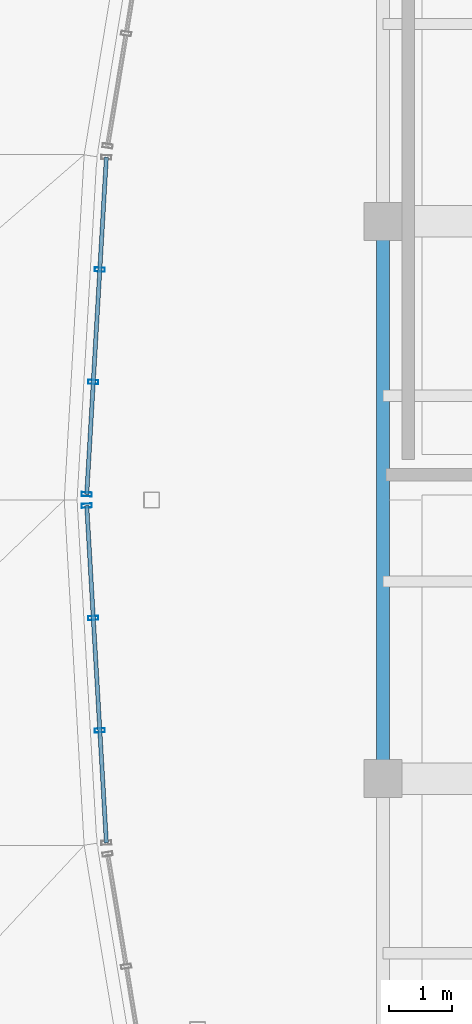
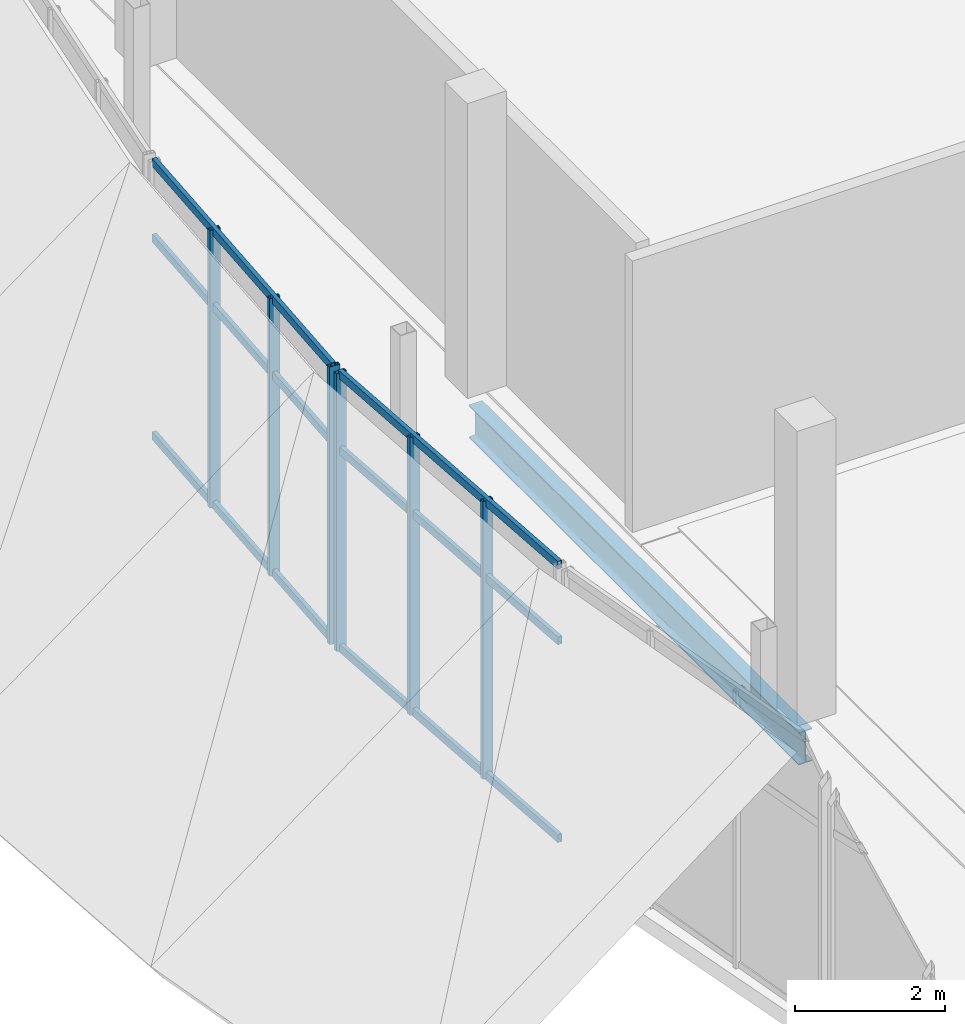
# One storey, part 21 of 116: 12 members, 1 beam, 2 elements without a shape of their own.
"""IFC4 building model written with IfcOpenShell, lengths in metres."""

from ifc_helpers import new_model, si_unit, direction, frame, origin, origin_2d, place, context, subcontext, project, spatial, hollow_rectangle, i_section, extrude, material, layer, layer_set, material_profile, profile_set, type_object, element, aggregate, save


model = new_model("IFC4")

# Units and contexts
model_context = context("Model", 3, precision=1e-05, world=origin(), true_north=direction((0.0, 1.0)))
body_context = subcontext(model_context, "Body", "Model", "MODEL_VIEW")
ifc_project = project(units=[si_unit("LENGTHUNIT", "METRE"), si_unit("AREAUNIT", "SQUARE_METRE"), si_unit("VOLUMEUNIT", "CUBIC_METRE"), si_unit("PLANEANGLEUNIT", "RADIAN"), si_unit("MASSUNIT", "GRAM", prefix="KILO")], contexts=[model_context])

# Site, building, storey
site_placement = place(None, origin())
site = spatial("IfcSite", under=ifc_project, at=site_placement, CompositionType="ELEMENT")
building_placement = place(site_placement, origin())
building = spatial("IfcBuilding", under=site, at=building_placement, Name="Chalmorin Arch Market", CompositionType="ELEMENT")
storey_placement = place(building_placement, origin())
storey = spatial("IfcBuildingStorey", under=building, at=storey_placement, Name="L00", CompositionType="ELEMENT", Elevation=0.0)

# Curtain wall, members
ifc_material_1 = material(Name="Aluminium 6063-T6", Category="aluminium")
ifc_layer = layer(ifc_material_1, 0.159912109375)
ifc_layer_set = layer_set([ifc_layer], Name="Aluminium 6063-T6")
curtain_wall_type = type_object("IfcCurtainWallType", Name="RiverfrontStorefrontCurtainWall-CW2-5330x4520", PredefinedType="NOTDEFINED", material=ifc_layer_set)
curtain_wall_1_placement = place(storey_placement, origin())
curtain_wall_1 = element("IfcCurtainWall", 1, at=curtain_wall_1_placement, inside=storey, type_object=curtain_wall_type, Name="CW-02-054", PredefinedType="NOTDEFINED")
ifc_material_profile_1 = material_profile(ifc_material_1, hollow_rectangle(XDim=0.06494140625, YDim=0.159912109375, WallThickness=0.00390625, at=origin_2d()), Name="ALU65X160X4")
ifc_profile_set_1 = profile_set([ifc_material_profile_1], Name="Aluminium 6063-T6")
member_type_1 = type_object("IfcMemberType", Name="CurtainWallMullion-65x160", PredefinedType="MULLION", material=ifc_profile_set_1)
member_1_placement = place(storey_placement, frame((-4.468505859375, 24.36328125, 0.0), z_axis=(0.0, 0.0, 1.0), x_axis=(-0.052335956243, 0.998629534755, 0.0)))
member_1 = element("IfcMember", 2, at=member_1_placement, type_object=member_type_1, Name="ML-054-02", PredefinedType="MULLION", context=body_context, shape_type="SweptSolid", body=[
    extrude(hollow_rectangle(XDim=0.06494140625, YDim=0.159912109375, WallThickness=0.00390625, at=origin_2d()), origin(), (0.0, 0.0, 1.0), 4.52001953125),
])
member_2_placement = place(storey_placement, frame((-4.571533203125, 26.13671875, 0.0), z_axis=(0.0, 0.0, 1.0), x_axis=(-0.052335956243, 0.998629534755, 0.0)))
member_2 = element("IfcMember", 3, at=member_2_placement, type_object=member_type_1, Name="ML-054-03", PredefinedType="MULLION", context=body_context, shape_type="SweptSolid", body=[
    extrude(hollow_rectangle(XDim=0.06494140625, YDim=0.159912109375, WallThickness=0.00390625, at=origin_2d()), origin(), (0.0, 0.0, 1.0), 4.52001953125),
])
member_3_placement = place(storey_placement, frame((-4.6748046875, 27.91015625, 0.0), z_axis=(0.0, 0.0, 1.0), x_axis=(-0.052335956243, 0.998629534755, 0.0)))
member_3 = element("IfcMember", 4, at=member_3_placement, type_object=member_type_1, Name="ML-054-04", PredefinedType="MULLION", context=body_context, shape_type="SweptSolid", body=[
    extrude(hollow_rectangle(XDim=0.06494140625, YDim=0.159912109375, WallThickness=0.00390625, at=origin_2d()), origin(), (0.0, 0.0, 1.0), 4.52001953125),
])

curtain_wall_2_placement = place(storey_placement, origin())
curtain_wall_2 = element("IfcCurtainWall", 5, at=curtain_wall_2_placement, inside=storey, type_object=curtain_wall_type, Name="CW-02-057", PredefinedType="NOTDEFINED")
member_4_placement = place(storey_placement, frame((-4.6748046875, 28.08984375, 0.0), z_axis=(0.0, 0.0, 1.0), x_axis=(0.052335956243, 0.998629534755, 0.0)))
member_4 = element("IfcMember", 6, at=member_4_placement, type_object=member_type_1, Name="ML-057-01", PredefinedType="MULLION", context=body_context, shape_type="SweptSolid", body=[
    extrude(hollow_rectangle(XDim=0.06494140625, YDim=0.159912109375, WallThickness=0.00390625, at=origin_2d()), origin(), (0.0, 0.0, 1.0), 4.52001953125),
])
member_5_placement = place(storey_placement, frame((-4.571533203125, 29.86328125, 0.0), z_axis=(0.0, 0.0, 1.0), x_axis=(0.052335956243, 0.998629534755, 0.0)))
member_5 = element("IfcMember", 7, at=member_5_placement, type_object=member_type_1, Name="ML-057-02", PredefinedType="MULLION", context=body_context, shape_type="SweptSolid", body=[
    extrude(hollow_rectangle(XDim=0.06494140625, YDim=0.159912109375, WallThickness=0.00390625, at=origin_2d()), origin(), (0.0, 0.0, 1.0), 4.52001953125),
])
member_6_placement = place(storey_placement, frame((-4.468505859375, 31.63671875, 0.0), z_axis=(0.0, 0.0, 1.0), x_axis=(0.052335956243, 0.998629534755, 0.0)))
member_6 = element("IfcMember", 8, at=member_6_placement, type_object=member_type_1, Name="ML-057-03", PredefinedType="MULLION", context=body_context, shape_type="SweptSolid", body=[
    extrude(hollow_rectangle(XDim=0.06494140625, YDim=0.159912109375, WallThickness=0.00390625, at=origin_2d()), origin(), (0.0, 0.0, 1.0), 4.52001953125),
])

# Member
ifc_material_profile_2 = material_profile(ifc_material_1, hollow_rectangle(XDim=0.06494140625, YDim=0.1298828125, WallThickness=0.00390625, at=origin_2d()), Name="ALU65X130X4")
ifc_profile_set_2 = profile_set([ifc_material_profile_2], Name="Aluminium 6063-T6")
member_type_2 = type_object("IfcMemberType", Name="CurtainWallTransom-65x130", PredefinedType="USERDEFINED", material=ifc_profile_set_2)
member_7_placement = place(storey_placement, frame((-4.365234375, 22.58984375, 0.034912109375), z_axis=(-0.058088239808, 0.998311452602, 0.0), x_axis=(-0.998311452602, -0.058088239808, 0.0)))
member_7 = element("IfcMember", 9, at=member_7_placement, type_object=member_type_2, Name="TR-054-01", ObjectType="TRANSOM", PredefinedType="USERDEFINED", context=body_context, shape_type="SweptSolid", body=[
    extrude(hollow_rectangle(XDim=0.06494140625, YDim=0.1298828125, WallThickness=0.00390625, at=origin_2d()), origin(), (0.0, 0.0, 1.0), 5.329345703125),
])

member_8_placement = place(storey_placement, frame((-4.365234375, 22.58984375, 3.25439453125), z_axis=(-0.058088239808, 0.998311452602, 0.0), x_axis=(-0.998311452602, -0.058088239808, 0.0)))
member_8 = element("IfcMember", 10, at=member_8_placement, type_object=member_type_2, Name="TR-054-02", ObjectType="TRANSOM", PredefinedType="USERDEFINED", context=body_context, shape_type="SweptSolid", body=[
    extrude(hollow_rectangle(XDim=0.06494140625, YDim=0.1298828125, WallThickness=0.00390625, at=origin_2d()), origin(), (0.0, 0.0, 1.0), 5.329345703125),
])

member_9_placement = place(storey_placement, frame((-4.365234375, 22.58984375, 4.485107421875), z_axis=(-0.058088239808, 0.998311452602, 0.0), x_axis=(-0.998311452602, -0.058088239808, 0.0)))
member_9 = element("IfcMember", 11, at=member_9_placement, type_object=member_type_2, Name="TR-054-03", ObjectType="TRANSOM", PredefinedType="USERDEFINED", context=body_context, shape_type="SweptSolid", body=[
    extrude(hollow_rectangle(XDim=0.06494140625, YDim=0.1298828125, WallThickness=0.00390625, at=origin_2d()), origin(), (0.0, 0.0, 1.0), 5.329345703125),
])

aggregate(curtain_wall_1, [member_1, member_2, member_3, member_7, member_8, member_9])

member_10_placement = place(storey_placement, frame((-4.6748046875, 28.08984375, 0.034912109375), z_axis=(0.058088239808, 0.998311452602, 0.0), x_axis=(-0.998311452602, 0.058088239808, 0.0)))
member_10 = element("IfcMember", 12, at=member_10_placement, type_object=member_type_2, Name="TR-057-01", ObjectType="TRANSOM", PredefinedType="USERDEFINED", context=body_context, shape_type="SweptSolid", body=[
    extrude(hollow_rectangle(XDim=0.06494140625, YDim=0.1298828125, WallThickness=0.00390625, at=origin_2d()), origin(), (0.0, 0.0, 1.0), 5.329345703125),
])

member_11_placement = place(storey_placement, frame((-4.6748046875, 28.08984375, 3.25439453125), z_axis=(0.058088239808, 0.998311452602, 0.0), x_axis=(-0.998311452602, 0.058088239808, 0.0)))
member_11 = element("IfcMember", 13, at=member_11_placement, type_object=member_type_2, Name="TR-057-02", ObjectType="TRANSOM", PredefinedType="USERDEFINED", context=body_context, shape_type="SweptSolid", body=[
    extrude(hollow_rectangle(XDim=0.06494140625, YDim=0.1298828125, WallThickness=0.00390625, at=origin_2d()), origin(), (0.0, 0.0, 1.0), 5.329345703125),
])

member_12_placement = place(storey_placement, frame((-4.6748046875, 28.08984375, 4.485107421875), z_axis=(0.058088239808, 0.998311452602, 0.0), x_axis=(-0.998311452602, 0.058088239808, 0.0)))
member_12 = element("IfcMember", 14, at=member_12_placement, type_object=member_type_2, Name="TR-057-03", ObjectType="TRANSOM", PredefinedType="USERDEFINED", context=body_context, shape_type="SweptSolid", body=[
    extrude(hollow_rectangle(XDim=0.06494140625, YDim=0.1298828125, WallThickness=0.00390625, at=origin_2d()), origin(), (0.0, 0.0, 1.0), 5.329345703125),
])

aggregate(curtain_wall_2, [member_4, member_5, member_6, member_10, member_11, member_12])

# Beam
ifc_material_2 = material(Name="Steel A992 Grade 50", Category="steel")
ifc_material_profile_3 = material_profile(ifc_material_2, i_section(OverallWidth=0.208984375, OverallDepth=0.532958984375, WebThickness=0.01025390625, FlangeThickness=0.015625, FilletRadius=0.02197265625, at=origin_2d()), Name="W21X62")
ifc_profile_set_3 = profile_set([ifc_material_profile_3], Name="Steel A992 Grade 50")
beam_type = type_object("IfcBeamType", Name="PerimeterSpandrelBeam-W21X62", PredefinedType="SPANDREL", material=ifc_profile_set_3)
beam_placement = place(storey_placement, frame((0.0, 23.60009765625, -0.618408203125), z_axis=(0.0, 1.0, 0.0), x_axis=(-1.0, 0.0, 0.0)))
element("IfcBeam", 15, at=beam_placement, inside=storey, type_object=beam_type, Name="SP-W21-0209", PredefinedType="SPANDREL", context=body_context, shape_type="SweptSolid", body=[
    extrude(i_section(OverallWidth=0.208984375, OverallDepth=0.532958984375, WebThickness=0.01025390625, FlangeThickness=0.015625, FilletRadius=0.02197265625, at=origin_2d()), origin(), (0.0, 0.0, 1.0), 8.7998046875),
])

save(model, "model.ifc")
